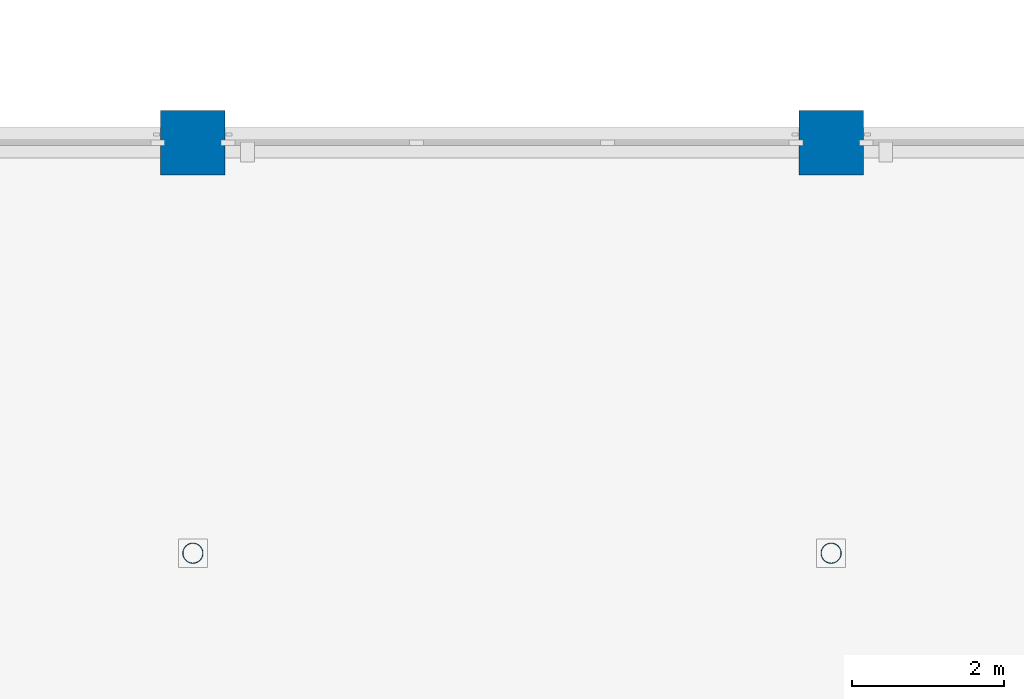
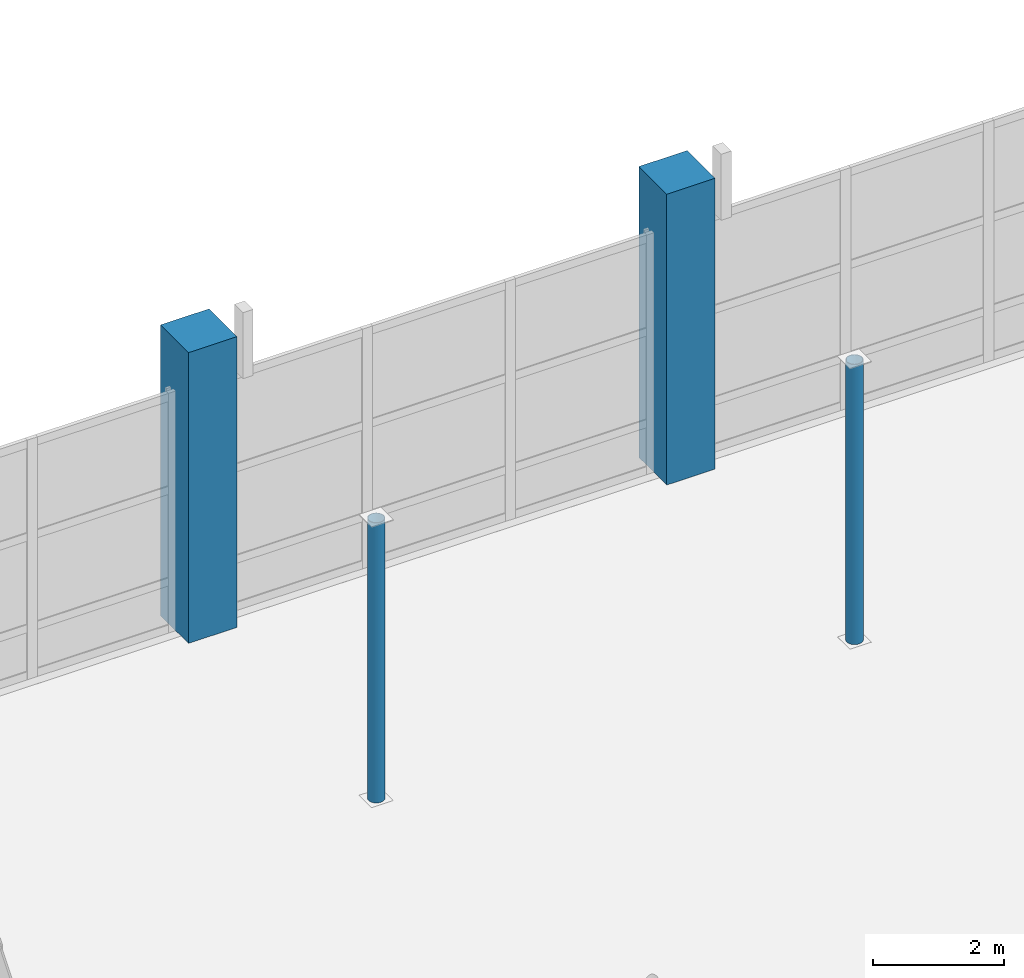
# One storey, part 10 of 140: 4 columns.
"""IFC4 building model written with IfcOpenShell, lengths in metres."""

import ifcopenshell
import ifcopenshell.guid

model = None  # the IFC model being written
_history = None  # IfcOwnerHistory: only IFC2X3 demands one
_inside = {}  # id of a spatial element -> (the spatial element, [elements in it])
_under = {}  # id of a project, library or spatial element -> (it, [spatial elements below it])
_declared = {}  # id of a project -> (the project, [libraries it declares])
_typed = {}  # id of a type object -> (the type object, [elements of that type])
_made_of = {}  # id of a material, layer set ... -> (it, [elements and type objects made of it])


def new_model(schema):
    """Start an empty IFC model of exactly this schema.

    Asked for "IFC4X3", IfcOpenShell would pick the latest addendum, in which some entities
    have other attributes; the version numbers below select the first issue.
    IFC2X3 requires an IfcOwnerHistory on every rooted entity: one is made here for all.
    """
    global model, _history
    if schema == "IFC4X3":
        model = ifcopenshell.file(schema_version=(4, 3, 0, 0))
    else:
        model = ifcopenshell.file(schema=schema)
    _inside.clear()
    _under.clear()
    _declared.clear()
    _typed.clear()
    _made_of.clear()
    _history = None
    if model.schema == "IFC2X3":
        org = make("IfcOrganization", Name="unknown")
        user = make(
            "IfcPersonAndOrganization",
            ThePerson=make("IfcPerson", FamilyName="unknown"),
            TheOrganization=org,
        )
        app = make(
            "IfcApplication",
            ApplicationDeveloper=org,
            Version="unknown",
            ApplicationFullName="unknown",
            ApplicationIdentifier="unknown",
        )
        _history = make(
            "IfcOwnerHistory",
            OwningUser=user,
            OwningApplication=app,
            ChangeAction="ADDED",
            CreationDate=0,
        )
    return model


def make(cls, **values):
    """One entity of the class cls with the attributes given. An attribute that is None is left unset."""
    return model.create_entity(
        cls, **{name: value for name, value in values.items() if value is not None}
    )


def rooted(cls, **values):
    """An entity with a GlobalId (a new one), such as an element, a storey or a relation."""
    return make(cls, GlobalId=ifcopenshell.guid.new(), OwnerHistory=_history, **values)


def si_unit(unit_type, name, prefix=None):
    """IfcSIUnit, for example si_unit("LENGTHUNIT", "METRE", prefix="MILLI")."""
    return make("IfcSIUnit", UnitType=unit_type, Prefix=prefix, Name=name)


def assignment(units):
    """IfcUnitAssignment: the units of a project."""
    return None if units is None else make("IfcUnitAssignment", Units=units)


def point(xyz):
    """IfcCartesianPoint."""
    return None if xyz is None else make("IfcCartesianPoint", Coordinates=xyz)


def direction(xyz):
    """IfcDirection."""
    return None if xyz is None else make("IfcDirection", DirectionRatios=xyz)


def frame(location, z_axis=None, x_axis=None):
    """IfcAxis2Placement3D, a coordinate frame: its origin and axes. An axis left out is left unset."""
    return make(
        "IfcAxis2Placement3D",
        Location=point(location),
        Axis=direction(z_axis),
        RefDirection=direction(x_axis),
    )


def frame_2d(location, x_axis=None):
    """IfcAxis2Placement2D, a coordinate frame in the plane: its origin and x axis."""
    return make(
        "IfcAxis2Placement2D", Location=point(location), RefDirection=direction(x_axis)
    )


def origin():
    """The frame at (0, 0, 0) with its axes left unset."""
    return frame((0.0, 0.0, 0.0))


def origin_2d():
    """The frame at (0, 0) in the plane with its x axis left unset."""
    return frame_2d((0.0, 0.0))


def place(relative_to, where):
    """IfcLocalPlacement: puts the frame where relative to a parent placement (None: the world)."""
    return make(
        "IfcLocalPlacement", PlacementRelTo=relative_to, RelativePlacement=where
    )


def context(
    kind, dimensions, precision=None, world=None, true_north=None, identifier=None
):
    """IfcGeometricRepresentationContext, for example the 3D "Model" context."""
    return make(
        "IfcGeometricRepresentationContext",
        ContextIdentifier=identifier,
        ContextType=kind,
        CoordinateSpaceDimension=dimensions,
        Precision=precision,
        WorldCoordinateSystem=world,
        TrueNorth=true_north,
    )


def subcontext(parent, identifier, kind, view, scale=None):
    """IfcGeometricRepresentationSubContext, for example "Body" below "Model"."""
    return make(
        "IfcGeometricRepresentationSubContext",
        ContextIdentifier=identifier,
        ContextType=kind,
        ParentContext=parent,
        TargetScale=scale,
        TargetView=view,
    )


def project(units=None, contexts=None):
    """IfcProject with its units and contexts."""
    return rooted(
        "IfcProject",
        Name="project",
        RepresentationContexts=contexts,
        UnitsInContext=assignment(units),
    )


def spatial(cls, under=None, at=None, **own):
    """A site, building, storey or space (cls), placed at a placement, below another one or the project."""
    s = rooted(cls, ObjectPlacement=at, **own)
    if under is not None:
        _under.setdefault(under.id(), (under, []))[1].append(s)
    return s


def profile(cls, at=None, kind="AREA", **sizes):
    """A parametric profile (cls). Its sizes go by their IFC names, for example OverallWidth=200.0."""
    return make(cls, ProfileType=kind, Position=at, **sizes)


def rectangle(**sizes):
    """IfcRectangleProfileDef."""
    return profile("IfcRectangleProfileDef", **sizes)


def hollow_circle(**sizes):
    """IfcCircleHollowProfileDef."""
    return profile("IfcCircleHollowProfileDef", **sizes)


def extrude(swept, where, along, depth):
    """IfcExtrudedAreaSolid: the profile swept, set in the frame where, extruded along a direction by depth."""
    return make(
        "IfcExtrudedAreaSolid",
        SweptArea=swept,
        Position=where,
        ExtrudedDirection=direction(along),
        Depth=depth,
    )


def shape(context_of_items, identifier, shape_type, items):
    """IfcShapeRepresentation: the items that make up one representation, for example the "Body"."""
    return make(
        "IfcShapeRepresentation",
        ContextOfItems=context_of_items,
        RepresentationIdentifier=identifier,
        RepresentationType=shape_type,
        Items=items,
    )


def material(Name=None, Category=None):
    """IfcMaterial."""
    return make("IfcMaterial", Name=Name, Category=Category)


def material_profile(
    of_material, cross_section, Name=None, Category=None, Priority=None
):
    """IfcMaterialProfile: a cross section and its material."""
    return make(
        "IfcMaterialProfile",
        Name=Name,
        Material=of_material,
        Profile=cross_section,
        Priority=Priority,
        Category=Category,
    )


def profile_set(profiles, Name=None, composite=None):
    """IfcMaterialProfileSet."""
    return make(
        "IfcMaterialProfileSet",
        Name=Name,
        MaterialProfiles=profiles,
        CompositeProfile=composite,
    )


def made_of(thing, what):
    """Note that an element or type object is made of a material, layer set ...; save() writes the relation."""
    if what is not None:
        _made_of.setdefault(what.id(), (what, []))[1].append(thing)
    return thing


def type_object(cls, material=None, **own):
    """A type object (cls), such as IfcWallType, which elements share."""
    return made_of(rooted(cls, **own), material)


def element(
    cls,
    number,
    at=None,
    inside=None,
    cuts=None,
    type_object=None,
    material=None,
    context=None,
    identifier="Body",
    shape_type=None,
    held_by="IfcProductDefinitionShape",
    body=None,
    shapes=None,
    **own,
):
    """One element of the class cls, such as IfcWall. Its Tag is "e" and its number.

    at: its placement. inside: the storey or other place that contains it. cuts: it is an
    opening in that element (IfcRelVoidsElement). A single representation is given by context,
    identifier, shape_type and body (its items); several are given by shapes. held_by: the class
    of the entity that holds the representations. save() writes the other relations.
    """
    e = rooted(cls, Tag="e%d" % number, ObjectPlacement=at, **own)
    if body is not None:
        shapes = [shape(context, identifier, shape_type, body)]
    if shapes is not None:
        e.Representation = make(held_by, Representations=shapes)
    if inside is not None:
        _inside.setdefault(inside.id(), (inside, []))[1].append(e)
    if cuts is not None:
        rooted(
            "IfcRelVoidsElement", RelatingBuildingElement=cuts, RelatedOpeningElement=e
        )
    if type_object is not None:
        _typed.setdefault(type_object.id(), (type_object, []))[1].append(e)
    return made_of(e, material)


def aggregate(whole, parts):
    """IfcRelAggregates: a whole, such as a stair, and the parts it consists of."""
    return rooted("IfcRelAggregates", RelatingObject=whole, RelatedObjects=parts)


def save(model, path):
    """Write the relations noted so far, then the file.

    IfcRelAggregates (storeys below a building ...), IfcRelContainedInSpatialStructure (elements
    in a storey), IfcRelDefinesByType, IfcRelAssociatesMaterial and IfcRelDeclares: one each for
    every whole, place, type object, material and project.
    """
    for whole, parts in _under.values():
        aggregate(whole, parts)
    for where, things in _inside.values():
        rooted(
            "IfcRelContainedInSpatialStructure",
            RelatedElements=things,
            RelatingStructure=where,
        )
    for kind, things in _typed.values():
        rooted("IfcRelDefinesByType", RelatedObjects=things, RelatingType=kind)
    for what, things in _made_of.values():
        rooted("IfcRelAssociatesMaterial", RelatedObjects=things, RelatingMaterial=what)
    for by, libraries in _declared.values():
        rooted("IfcRelDeclares", RelatingContext=by, RelatedDefinitions=libraries)
    model.write(path)


model = new_model("IFC4")

# Units and contexts
model_context = context("Model", 3, precision=1e-05, world=origin(), true_north=direction((0.0, 1.0)))
body_context = subcontext(model_context, "Body", "Model", "MODEL_VIEW")
ifc_project = project(units=[si_unit("LENGTHUNIT", "METRE"), si_unit("AREAUNIT", "SQUARE_METRE"), si_unit("VOLUMEUNIT", "CUBIC_METRE"), si_unit("PLANEANGLEUNIT", "RADIAN"), si_unit("MASSUNIT", "GRAM", prefix="KILO")], contexts=[model_context])

# Site, building, storey
site_placement = place(None, origin())
site = spatial("IfcSite", under=ifc_project, at=site_placement, CompositionType="ELEMENT")
building_placement = place(site_placement, origin())
building = spatial("IfcBuilding", under=site, at=building_placement, Name="Telukmera Botanical Conservatory", CompositionType="ELEMENT")
storey_placement = place(building_placement, origin())
storey = spatial("IfcBuildingStorey", under=building, at=storey_placement, Name="L00", CompositionType="ELEMENT", Elevation=0.0)

# Columns
ifc_material_1 = material(Name="Concrete C50/60", Category="concrete")
ifc_material_profile_1 = material_profile(ifc_material_1, rectangle(XDim=0.85009765625, YDim=0.85009765625, at=origin_2d()), Name="RC 850x850")
ifc_profile_set_1 = profile_set([ifc_material_profile_1], Name="Concrete C50/60")
column_type_1 = type_object("IfcColumnType", Name="Col_C6", PredefinedType="COLUMN", material=ifc_profile_set_1)
for number, where, z_axis, x_axis, name in (
    (1, (126.0, 48.199951171875, 0.0), (0.0, 0.0, 1.0), (1.0, 0.0, 0.0), "Column V1-L00 (126.0,48.2)"),
    (2, (134.39990234375, 48.199951171875, 0.0), (0.0, 0.0, 1.0), (1.0, 0.0, 0.0), "Column V1-L00 (134.4,48.2)"),
):
    element("IfcColumn", number, at=place(storey_placement, frame(where, z_axis=z_axis, x_axis=x_axis)), inside=storey, type_object=column_type_1, Name=name, PredefinedType="COLUMN", context=body_context, shape_type="SweptSolid", body=[
        extrude(rectangle(XDim=0.85009765625, YDim=0.85009765625, at=origin_2d()), origin(), (0.0, 0.0, 1.0), 5.39990234375),
    ])
ifc_material_2 = material(Name="Steel S355", Category="steel")
ifc_material_profile_2 = material_profile(ifc_material_2, hollow_circle(Radius=0.136474609375, WallThickness=0.010009765625, at=origin_2d()), Name="CHS 273.0x10.0")
ifc_profile_set_2 = profile_set([ifc_material_profile_2], Name="Steel S355")
column_type_2 = type_object("IfcColumnType", Name="Col_SC2", PredefinedType="COLUMN", material=ifc_profile_set_2)
for number, where, z_axis, x_axis, name in (
    (3, (126.0, 42.800048828125, 0.0), (0.0, 0.0, 1.0), (1.0, 0.0, 0.0), "Column V1-L00 (126.0,42.8)"),
    (4, (134.39990234375, 42.800048828125, 0.0), (0.0, 0.0, 1.0), (1.0, 0.0, 0.0), "Column V1-L00 (134.4,42.8)"),
):
    element("IfcColumn", number, at=place(storey_placement, frame(where, z_axis=z_axis, x_axis=x_axis)), inside=storey, type_object=column_type_2, Name=name, PredefinedType="COLUMN", context=body_context, shape_type="SweptSolid", body=[
        extrude(hollow_circle(Radius=0.136474609375, WallThickness=0.010009765625, at=origin_2d()), origin(), (0.0, 0.0, 1.0), 5.199951171875),
    ])

save(model, "model.ifc")
